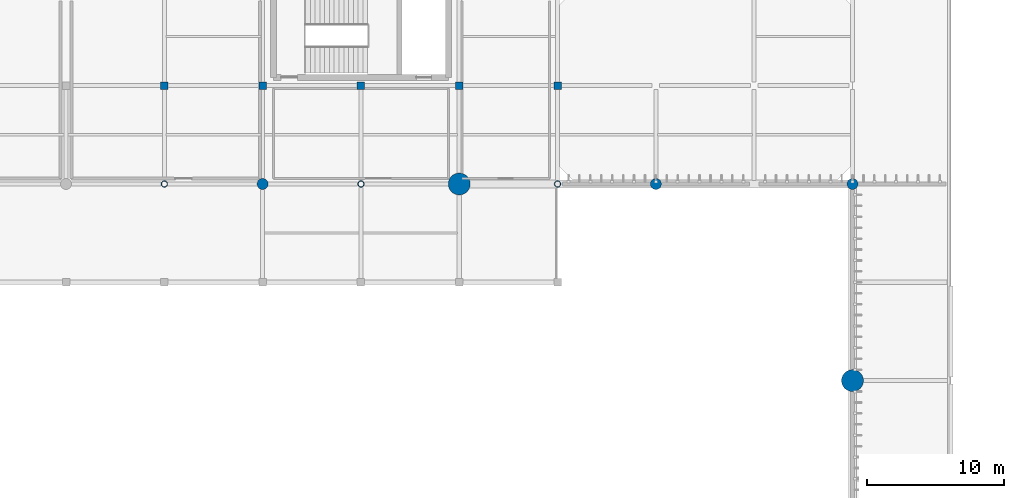
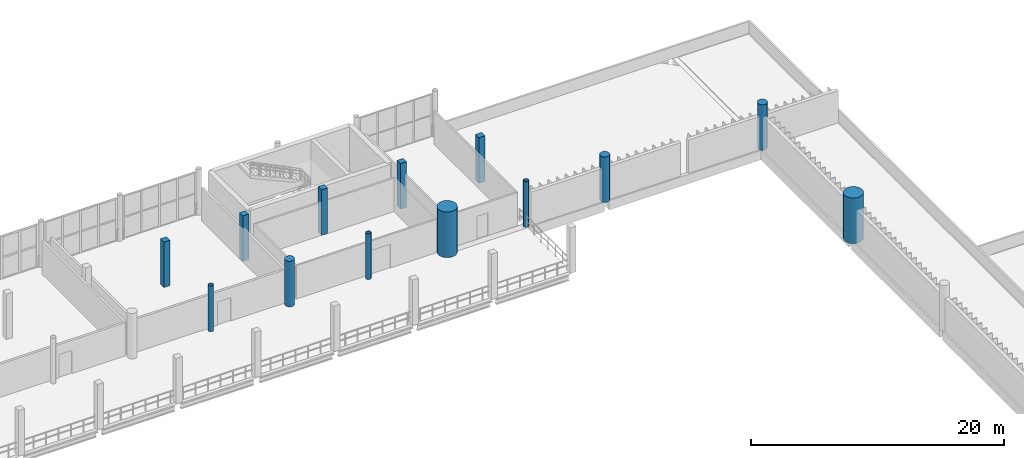
# One storey, part 9 of 81: 13 columns.
"""IFC4 building model written with IfcOpenShell, lengths in metres."""

from ifc_helpers import new_model, si_unit, direction, frame, origin, origin_2d, place, context, subcontext, project, spatial, rectangle, circle, hollow_circle, extrude, material, material_profile, profile_set, type_object, element, save


model = new_model("IFC4")

# Units and contexts
model_context = context("Model", 3, precision=1e-05, world=origin(), true_north=direction((0.0, 1.0)))
body_context = subcontext(model_context, "Body", "Model", "MODEL_VIEW")
ifc_project = project(units=[si_unit("LENGTHUNIT", "METRE"), si_unit("AREAUNIT", "SQUARE_METRE"), si_unit("VOLUMEUNIT", "CUBIC_METRE"), si_unit("PLANEANGLEUNIT", "RADIAN"), si_unit("MASSUNIT", "GRAM", prefix="KILO")], contexts=[model_context])

# Site, building, storey
site_placement = place(None, origin())
site = spatial("IfcSite", under=ifc_project, at=site_placement, CompositionType="ELEMENT")
building_placement = place(site_placement, origin())
building = spatial("IfcBuilding", under=site, at=building_placement, Name="Qandorah Velis Arena", CompositionType="ELEMENT")
storey_placement = place(building_placement, frame((0.0, 0.0, 18.60009765625)))
storey = spatial("IfcBuildingStorey", under=building, at=storey_placement, Name="L04", CompositionType="ELEMENT", Elevation=18.60009765625)

# Columns
ifc_material_1 = material(Name="Steel S355", Category="steel")
ifc_material_profile_1 = material_profile(ifc_material_1, hollow_circle(Radius=0.228515625, WallThickness=0.02001953125, at=origin_2d()), Name="CHS 457x20")
ifc_profile_set_1 = profile_set([ifc_material_profile_1], Name="Steel S355")
column_type_1 = type_object("IfcColumnType", Name="STR-COL-CHS457", PredefinedType="COLUMN", material=ifc_profile_set_1)
for number, where, z_axis, x_axis, name in (
    (1, (64.800048828125, 115.199951171875, 0.0), (0.0, 0.0, 1.0), (1.0, 0.0, 0.0), "Structural column L04-101"),
    (2, (79.199951171875, 115.199951171875, 0.0), (0.0, 0.0, 1.0), (1.0, 0.0, 0.0), "Structural column L04-117"),
    (3, (93.60009765625, 115.199951171875, 0.0), (0.0, 0.0, 1.0), (1.0, 0.0, 0.0), "Structural column L04-133"),
):
    element("IfcColumn", number, at=place(storey_placement, frame(where, z_axis=z_axis, x_axis=x_axis)), inside=storey, type_object=column_type_1, Name=name, PredefinedType="COLUMN", context=body_context, shape_type="SweptSolid", body=[
        extrude(hollow_circle(Radius=0.228515625, WallThickness=0.02001953125, at=origin_2d()), origin(), (0.0, 0.0, 1.0), 4.39990234375),
    ])
ifc_material_2 = material(Name="Concrete C50/60", Category="concrete")
ifc_material_profile_2 = material_profile(ifc_material_2, circle(Radius=0.800048828125, at=origin_2d()), Name="MC D1600")
ifc_profile_set_2 = profile_set([ifc_material_profile_2], Name="Concrete C50/60")
column_type_2 = type_object("IfcColumnType", Name="STR-COL-MC1600", PredefinedType="COLUMN", material=ifc_profile_set_2)
for number, where, z_axis, x_axis, name in (
    (4, (86.39990234375, 115.199951171875, 0.0), (0.0, 0.0, 1.0), (1.0, 0.0, 0.0), "Mega column MC7 (L04)"),
    (5, (115.199951171875, 100.800048828125, 0.0), (0.0, 0.0, 1.0), (1.0, 0.0, 0.0), "Mega column MC10 (L04)"),
):
    element("IfcColumn", number, at=place(storey_placement, frame(where, z_axis=z_axis, x_axis=x_axis)), inside=storey, type_object=column_type_2, Name=name, PredefinedType="COLUMN", context=body_context, shape_type="SweptSolid", body=[
        extrude(circle(Radius=0.800048828125, at=origin_2d()), origin(), (0.0, 0.0, 1.0), 4.39990234375),
    ])
ifc_material_3 = material(Name="Concrete C40/50", Category="concrete")
ifc_material_profile_3 = material_profile(ifc_material_3, rectangle(XDim=0.550048828125, YDim=0.550048828125, at=origin_2d()), Name="RC COL 550x550")
ifc_profile_set_3 = profile_set([ifc_material_profile_3], Name="Concrete C40/50")
column_type_3 = type_object("IfcColumnType", Name="STR-COL-RC550", PredefinedType="COLUMN", material=ifc_profile_set_3)
for number, where, z_axis, x_axis, name in (
    (6, (64.800048828125, 122.39990234375, 0.0), (0.0, 0.0, 1.0), (1.0, 0.0, 0.0), "Structural column L04-102"),
    (7, (72.0, 122.39990234375, 0.0), (0.0, 0.0, 1.0), (1.0, 0.0, 0.0), "Structural column L04-110"),
    (8, (79.199951171875, 122.39990234375, 0.0), (0.0, 0.0, 1.0), (1.0, 0.0, 0.0), "Structural column L04-118"),
    (9, (86.39990234375, 122.39990234375, 0.0), (0.0, 0.0, 1.0), (1.0, 0.0, 0.0), "Structural column L04-126"),
    (10, (93.60009765625, 122.39990234375, 0.0), (0.0, 0.0, 1.0), (1.0, 0.0, 0.0), "Structural column L04-134"),
):
    element("IfcColumn", number, at=place(storey_placement, frame(where, z_axis=z_axis, x_axis=x_axis)), inside=storey, type_object=column_type_3, Name=name, PredefinedType="COLUMN", context=body_context, shape_type="SweptSolid", body=[
        extrude(rectangle(XDim=0.550048828125, YDim=0.550048828125, at=origin_2d()), origin(), (0.0, 0.0, 1.0), 4.39990234375),
    ])
ifc_material_profile_4 = material_profile(ifc_material_3, circle(Radius=0.39990234375, at=origin_2d()), Name="RC D800")
ifc_profile_set_4 = profile_set([ifc_material_profile_4], Name="Concrete C40/50")
column_type_4 = type_object("IfcColumnType", Name="STR-COL-RCD800", PredefinedType="COLUMN", material=ifc_profile_set_4)
for number, where, z_axis, x_axis, name in (
    (11, (72.0, 115.199951171875, 0.0), (0.0, 0.0, 1.0), (1.0, 0.0, 0.0), "Bowl drum ring column L04-109"),
    (12, (100.800048828125, 115.199951171875, 0.0), (0.0, 0.0, 1.0), (1.0, 0.0, 0.0), "Bowl drum ring column L04-137"),
    (13, (115.199951171875, 115.199951171875, 0.0), (0.0, 0.0, 1.0), (1.0, 0.0, 0.0), "Bowl drum ring column L04-147"),
):
    element("IfcColumn", number, at=place(storey_placement, frame(where, z_axis=z_axis, x_axis=x_axis)), inside=storey, type_object=column_type_4, Name=name, PredefinedType="COLUMN", context=body_context, shape_type="SweptSolid", body=[
        extrude(circle(Radius=0.39990234375, at=origin_2d()), origin(), (0.0, 0.0, 1.0), 4.39990234375),
    ])

save(model, "model.ifc")
